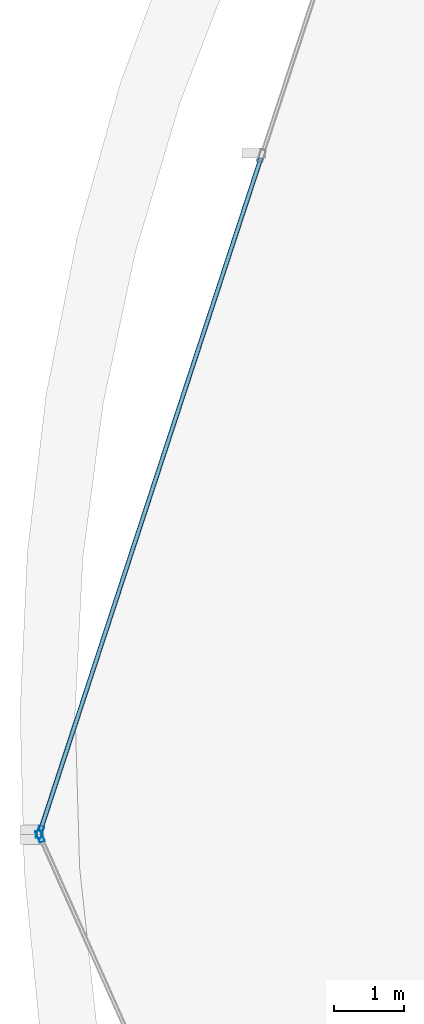
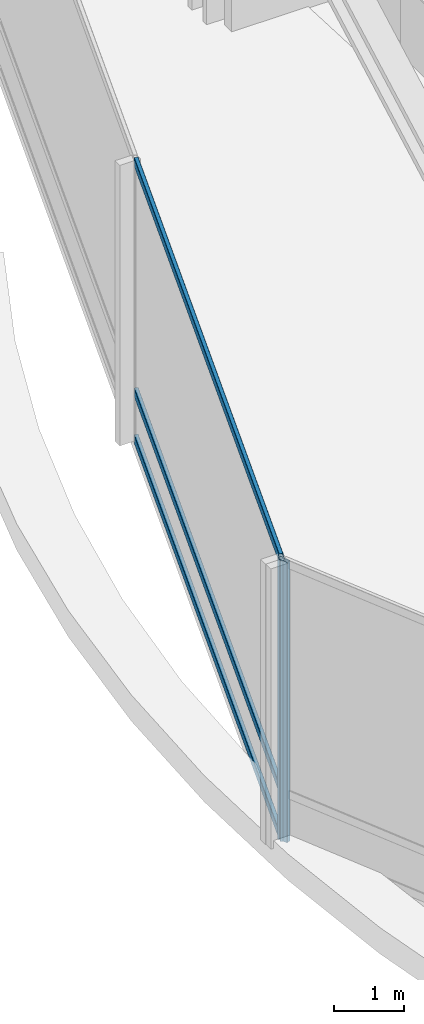
# One storey, part 7 of 37: 5 members, 2 elements without a shape of their own.
"""IFC4 building model written with IfcOpenShell, lengths in metres."""

from ifc_helpers import new_model, si_unit, direction, frame, origin, origin_2d, place, context, subcontext, project, spatial, hollow_rectangle, extrude, material, layer, layer_set, material_profile, profile_set, type_object, element, aggregate, save


model = new_model("IFC4")

# Units and contexts
model_context = context("Model", 3, precision=1e-05, world=origin(), true_north=direction((0.0, 1.0)))
body_context = subcontext(model_context, "Body", "Model", "MODEL_VIEW")
ifc_project = project(units=[si_unit("LENGTHUNIT", "METRE"), si_unit("AREAUNIT", "SQUARE_METRE"), si_unit("VOLUMEUNIT", "CUBIC_METRE"), si_unit("PLANEANGLEUNIT", "RADIAN"), si_unit("MASSUNIT", "GRAM", prefix="KILO")], contexts=[model_context])

# Site, building, storey
site_placement = place(None, origin())
site = spatial("IfcSite", under=ifc_project, at=site_placement, CompositionType="ELEMENT")
building_placement = place(site_placement, origin())
building = spatial("IfcBuilding", under=site, at=building_placement, Name="Solvaryn Broadcast Tower", CompositionType="ELEMENT")
storey_placement = place(building_placement, frame((0.0, 0.0, 30.800048828125)))
storey = spatial("IfcBuildingStorey", under=building, at=storey_placement, Name="L06", CompositionType="ELEMENT", Elevation=30.800048828125)

# Curtain wall, member
ifc_material_1 = material(Name="Aluminium and Terracotta Unitised Curtain Wall", Category="masonry")
ifc_layer = layer(ifc_material_1, 0.199951171875)
ifc_layer_set = layer_set([ifc_layer], Name="CW-SYS2-LOWMID")
curtain_wall_type = type_object("IfcCurtainWallType", Name="CW-SYS2-LOWMID", PredefinedType="NOTDEFINED", material=ifc_layer_set)
curtain_wall_1_placement = place(storey_placement, origin())
curtain_wall_1 = element("IfcCurtainWall", 1, at=curtain_wall_1_placement, inside=storey, type_object=curtain_wall_type, Name="L06 Curtain Wall DR1", PredefinedType="NOTDEFINED")
ifc_material_2 = material(Name="Anodised Aluminium 6063-T6", Category="aluminium")
ifc_material_profile_1 = material_profile(ifc_material_2, hollow_rectangle(XDim=0.074951171875, YDim=0.179931640625, WallThickness=0.00390625, InnerFilletRadius=0.00390625, OuterFilletRadius=0.008056640625, at=origin_2d()))
ifc_profile_set_1 = profile_set([ifc_material_profile_1], Name="Anodised Aluminium 6063-T6")
member_type_1 = type_object("IfcMemberType", Name="CW-MUL-180", PredefinedType="MULLION", material=ifc_profile_set_1)
member_1_placement = place(storey_placement, frame((-0.45458984375, 26.588623046875, 0.0), z_axis=(0.0, 0.0, 1.0), x_axis=(0.950215318429, -0.311594044587, 0.0)))
member_1 = element("IfcMember", 2, at=member_1_placement, type_object=member_type_1, Name="CWS2 mullion 3", PredefinedType="MULLION", context=body_context, shape_type="SweptSolid", body=[
    extrude(hollow_rectangle(XDim=0.074951171875, YDim=0.179931640625, WallThickness=0.00390625, InnerFilletRadius=0.00390625, OuterFilletRadius=0.008056640625, at=origin_2d()), origin(), (0.0, 0.0, 1.0), 4.919921875),
])

curtain_wall_2_placement = place(storey_placement, origin())
curtain_wall_2 = element("IfcCurtainWall", 3, at=curtain_wall_2_placement, inside=storey, type_object=curtain_wall_type, Name="L06 Curtain Wall DR2", PredefinedType="NOTDEFINED")
member_2_placement = place(storey_placement, frame((-0.451904296875, 26.532470703125, 0.0), z_axis=(0.0, 0.0, 1.0), x_axis=(0.913918257271, 0.405898286554, 0.0)))
member_2 = element("IfcMember", 4, at=member_2_placement, type_object=member_type_1, Name="CWS2 mullion 1", PredefinedType="MULLION", context=body_context, shape_type="SweptSolid", body=[
    extrude(hollow_rectangle(XDim=0.074951171875, YDim=0.179931640625, WallThickness=0.00390625, InnerFilletRadius=0.00390625, OuterFilletRadius=0.008056640625, at=origin_2d()), origin(), (0.0, 0.0, 1.0), 4.919921875),
])
aggregate(curtain_wall_2, [member_2])

# Member
ifc_material_3 = material(Name="Anodised Aluminium 6063-T6", Category="aluminium")
ifc_material_profile_2 = material_profile(ifc_material_3, hollow_rectangle(XDim=0.06494140625, YDim=0.14990234375, WallThickness=0.00390625, InnerFilletRadius=0.00390625, OuterFilletRadius=0.008056640625, at=origin_2d()))
ifc_profile_set_2 = profile_set([ifc_material_profile_2], Name="Anodised Aluminium 6063-T6")
member_type_2 = type_object("IfcMemberType", Name="CW-TRN-150", PredefinedType="USERDEFINED", material=ifc_profile_set_2)
member_3_placement = place(storey_placement, frame((2.716552734375, 36.259521484375, 0.030029296875), z_axis=(-0.311583076016, -0.950218915167, 0.0), x_axis=(0.950218915167, -0.311583076016, 0.0)))
member_3 = element("IfcMember", 5, at=member_3_placement, type_object=member_type_2, Name="CWS2 transom 2.1", ObjectType="TRANSOM", PredefinedType="USERDEFINED", context=body_context, shape_type="SweptSolid", body=[
    extrude(hollow_rectangle(XDim=0.06494140625, YDim=0.14990234375, WallThickness=0.00390625, InnerFilletRadius=0.00390625, OuterFilletRadius=0.008056640625, at=origin_2d()), origin(), (0.0, 0.0, 1.0), 10.147705078125),
])

member_4_placement = place(storey_placement, frame((2.716552734375, 36.259521484375, 0.849853515625), z_axis=(-0.311583076016, -0.950218915167, 0.0), x_axis=(0.950218915167, -0.311583076016, 0.0)))
member_4 = element("IfcMember", 6, at=member_4_placement, type_object=member_type_2, Name="CWS2 transom 2.2", ObjectType="TRANSOM", PredefinedType="USERDEFINED", context=body_context, shape_type="SweptSolid", body=[
    extrude(hollow_rectangle(XDim=0.06494140625, YDim=0.14990234375, WallThickness=0.00390625, InnerFilletRadius=0.00390625, OuterFilletRadius=0.008056640625, at=origin_2d()), origin(), (0.0, 0.0, 1.0), 10.147705078125),
])

member_5_placement = place(storey_placement, frame((2.716552734375, 36.259521484375, 4.889892578125), z_axis=(-0.311583076016, -0.950218915167, 0.0), x_axis=(0.950218915167, -0.311583076016, 0.0)))
member_5 = element("IfcMember", 7, at=member_5_placement, type_object=member_type_2, Name="CWS2 transom 2.3", ObjectType="TRANSOM", PredefinedType="USERDEFINED", context=body_context, shape_type="SweptSolid", body=[
    extrude(hollow_rectangle(XDim=0.06494140625, YDim=0.14990234375, WallThickness=0.00390625, InnerFilletRadius=0.00390625, OuterFilletRadius=0.008056640625, at=origin_2d()), origin(), (0.0, 0.0, 1.0), 10.147705078125),
])

aggregate(curtain_wall_1, [member_1, member_3, member_4, member_5])

save(model, "model.ifc")
